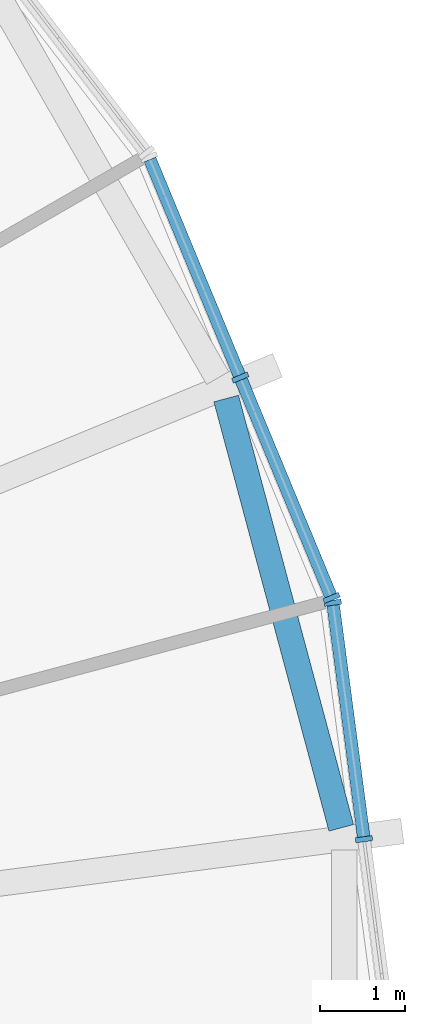
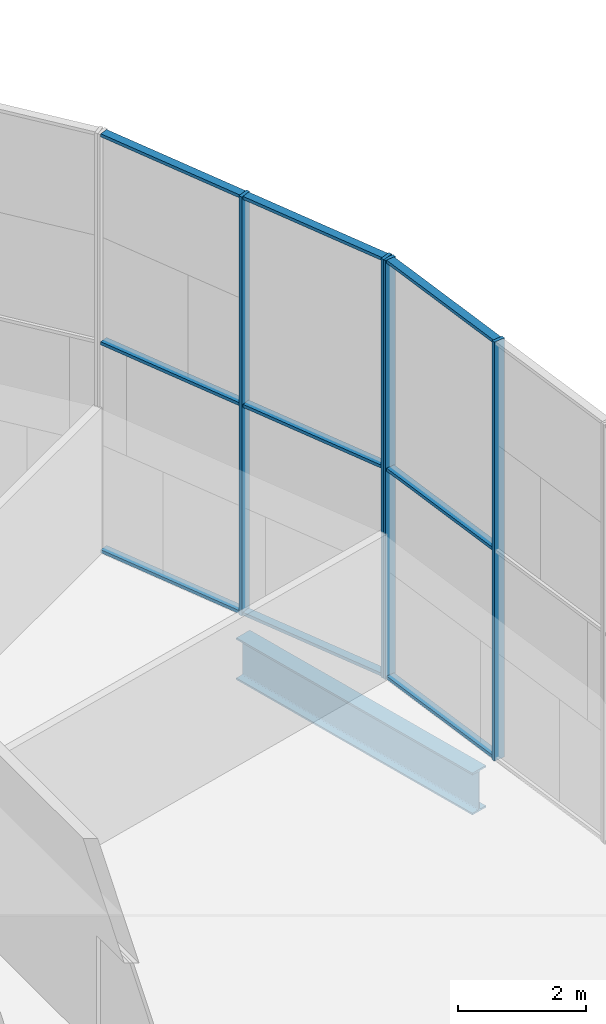
# One storey, part 5 of 18: 13 members, 1 beam, 2 elements without a shape of their own.
"""IFC4 building model written with IfcOpenShell, lengths in metres."""

from ifc_helpers import new_model, si_unit, direction, frame, origin, origin_2d, place, context, subcontext, project, spatial, rectangle, i_section, extrude, material, material_profile, profile_set, type_object, element, aggregate, save


model = new_model("IFC4")

# Units and contexts
model_context = context("Model", 3, precision=1e-05, world=origin(), true_north=direction((0.0, 1.0)))
body_context = subcontext(model_context, "Body", "Model", "MODEL_VIEW")
ifc_project = project(units=[si_unit("LENGTHUNIT", "METRE"), si_unit("AREAUNIT", "SQUARE_METRE"), si_unit("VOLUMEUNIT", "CUBIC_METRE"), si_unit("PLANEANGLEUNIT", "RADIAN"), si_unit("MASSUNIT", "GRAM", prefix="KILO")], contexts=[model_context])

# Site, building, storey
site_placement = place(None, origin())
site = spatial("IfcSite", under=ifc_project, at=site_placement, CompositionType="ELEMENT")
building_placement = place(site_placement, origin())
building = spatial("IfcBuilding", under=site, at=building_placement, Name="Golbaran Civic Tower", CompositionType="ELEMENT")
storey_placement = place(building_placement, frame((0.0, 0.0, 272.0)))
storey = spatial("IfcBuildingStorey", under=building, at=storey_placement, Name="L66", CompositionType="ELEMENT", Elevation=272.0)

# Beam
ifc_material_1 = material(Name="Steel S355", Category="steel")
ifc_material_profile_1 = material_profile(ifc_material_1, i_section(OverallWidth=0.300048828125, OverallDepth=0.800048828125, WebThickness=0.017578125, FlangeThickness=0.032958984375, FilletRadius=0.030029296875, at=origin_2d()), Name="HEB 800")
ifc_profile_set_1 = profile_set([ifc_material_profile_1], Name="Steel S355")
beam_type = type_object("IfcBeamType", Name="EDGE BEAM HEB 800", PredefinedType="BEAM", material=ifc_profile_set_1)
beam_placement = place(storey_placement, frame((21.0625, 2.94140625, -0.60009765625), z_axis=(-0.258898847874, 0.965904439668, 0.0), x_axis=(-0.965904439668, -0.258898847874, 0.0)))
element("IfcBeam", 1, at=beam_placement, inside=storey, type_object=beam_type, Name="Edge beam 7.59 L66", PredefinedType="BEAM", context=body_context, shape_type="SweptSolid", body=[
    extrude(i_section(OverallWidth=0.300048828125, OverallDepth=0.800048828125, WebThickness=0.017578125, FlangeThickness=0.032958984375, FilletRadius=0.030029296875, at=origin_2d()), origin(), (0.0, 0.0, 1.0), 5.22314453125),
])

# Curtain wall, members
ifc_material_2 = material(Name="Aluminium and glass", Category="aluminium")
curtain_wall_type = type_object("IfcCurtainWallType", Name="INNER SKIN CURTAIN WALL EXECUTIVE", PredefinedType="NOTDEFINED", material=ifc_material_2)
curtain_wall_1_placement = place(storey_placement, origin())
curtain_wall_1 = element("IfcCurtainWall", 2, at=curtain_wall_1_placement, inside=storey, type_object=curtain_wall_type, Name="Inner skin L66 facet 1 CW2", ObjectType="INNER SKIN", PredefinedType="USERDEFINED")
ifc_material_3 = material(Name="Aluminium", Category="aluminium")
ifc_material_profile_2 = material_profile(ifc_material_3, rectangle(XDim=0.199951171875, YDim=0.06005859375, at=origin_2d()), Name="INNER SKIN CURTAIN WALL EXECUTIVE MULLION")
ifc_profile_set_2 = profile_set([ifc_material_profile_2], Name="Aluminium")
member_type_1 = type_object("IfcMemberType", Name="INNER SKIN CURTAIN WALL EXECUTIVE MULLION", PredefinedType="MULLION", material=ifc_profile_set_2)
member_1_placement = place(storey_placement, frame((21.329345703125, 2.80810546875, 0.0), z_axis=(0.0, 0.0, 1.0), x_axis=(-0.991444861383, -0.130526192151, 0.0)))
member_1 = element("IfcMember", 3, at=member_1_placement, type_object=member_type_1, Name="CW2 mullion 2", PredefinedType="MULLION", context=body_context, shape_type="SweptSolid", body=[
    extrude(rectangle(XDim=0.199951171875, YDim=0.06005859375, at=origin_2d()), origin(), (0.0, 0.0, 1.0), 8.0),
])
member_2_placement = place(storey_placement, frame((20.963623046875, 5.58642578125, 0.0), z_axis=(0.0, 0.0, 1.0), x_axis=(-0.991444861383, -0.130526192151, 0.0)))
member_2 = element("IfcMember", 4, at=member_2_placement, type_object=member_type_1, Name="CW2 mullion 3", PredefinedType="MULLION", context=body_context, shape_type="SweptSolid", body=[
    extrude(rectangle(XDim=0.199951171875, YDim=0.06005859375, at=origin_2d()), origin(), (0.0, 0.0, 1.0), 8.0),
])

curtain_wall_2_placement = place(storey_placement, origin())
curtain_wall_2 = element("IfcCurtainWall", 5, at=curtain_wall_2_placement, inside=storey, type_object=curtain_wall_type, Name="Inner skin L66 facet 2 CW2", ObjectType="INNER SKIN", PredefinedType="USERDEFINED")
member_3_placement = place(storey_placement, frame((20.9482421875, 5.643798828125, 0.0), z_axis=(0.0, 0.0, 1.0), x_axis=(-0.923879532498, -0.382683432397, 0.0)))
member_3 = element("IfcMember", 6, at=member_3_placement, type_object=member_type_1, Name="CW2 mullion 1", PredefinedType="MULLION", context=body_context, shape_type="SweptSolid", body=[
    extrude(rectangle(XDim=0.199951171875, YDim=0.06005859375, at=origin_2d()), origin(), (0.0, 0.0, 1.0), 8.0),
])
member_4_placement = place(storey_placement, frame((19.875732421875, 8.23291015625, 0.0), z_axis=(0.0, 0.0, 1.0), x_axis=(-0.923879532498, -0.382683432397, 0.0)))
member_4 = element("IfcMember", 7, at=member_4_placement, type_object=member_type_1, Name="CW2 mullion 2", PredefinedType="MULLION", context=body_context, shape_type="SweptSolid", body=[
    extrude(rectangle(XDim=0.199951171875, YDim=0.06005859375, at=origin_2d()), origin(), (0.0, 0.0, 1.0), 8.0),
])

# Member
ifc_material_profile_3 = material_profile(ifc_material_3, rectangle(XDim=0.14990234375, YDim=0.06005859375, at=origin_2d()), Name="INNER SKIN CURTAIN WALL EXECUTIVE TRANSOM")
ifc_profile_set_3 = profile_set([ifc_material_profile_3], Name="Aluminium")
member_type_2 = type_object("IfcMemberType", Name="INNER SKIN CURTAIN WALL EXECUTIVE TRANSOM", PredefinedType="USERDEFINED", material=ifc_profile_set_3)
member_5_placement = place(storey_placement, frame((21.325439453125, 2.837890625, 0.030029296875), z_axis=(-0.130518997427, 0.99144580856, 0.0), x_axis=(-0.99144580856, -0.130518997427, 0.0)))
member_5 = element("IfcMember", 8, at=member_5_placement, type_object=member_type_2, Name="CW2 transom 2.1", ObjectType="TRANSOM", PredefinedType="USERDEFINED", context=body_context, shape_type="SweptSolid", body=[
    extrude(rectangle(XDim=0.14990234375, YDim=0.06005859375, at=origin_2d()), origin(), (0.0, 0.0, 1.0), 2.7421875),
])

member_6_placement = place(storey_placement, frame((21.325439453125, 2.837890625, 4.0), z_axis=(-0.130518997427, 0.99144580856, 0.0), x_axis=(-0.99144580856, -0.130518997427, 0.0)))
member_6 = element("IfcMember", 9, at=member_6_placement, type_object=member_type_2, Name="CW2 transom 2.2", ObjectType="TRANSOM", PredefinedType="USERDEFINED", context=body_context, shape_type="SweptSolid", body=[
    extrude(rectangle(XDim=0.14990234375, YDim=0.06005859375, at=origin_2d()), origin(), (0.0, 0.0, 1.0), 2.7421875),
])

member_7_placement = place(storey_placement, frame((21.325439453125, 2.837890625, 7.969970703125), z_axis=(-0.130518997427, 0.99144580856, 0.0), x_axis=(-0.99144580856, -0.130518997427, 0.0)))
member_7 = element("IfcMember", 10, at=member_7_placement, type_object=member_type_2, Name="CW2 transom 2.3", ObjectType="TRANSOM", PredefinedType="USERDEFINED", context=body_context, shape_type="SweptSolid", body=[
    extrude(rectangle(XDim=0.14990234375, YDim=0.06005859375, at=origin_2d()), origin(), (0.0, 0.0, 1.0), 2.7421875),
])

aggregate(curtain_wall_1, [member_1, member_2, member_5, member_6, member_7])

member_8_placement = place(storey_placement, frame((20.936767578125, 5.671630859375, 0.030029296875), z_axis=(-0.382737071174, 0.923857312765, 0.0), x_axis=(-0.923857312765, -0.382737071174, 0.0)))
member_8 = element("IfcMember", 11, at=member_8_placement, type_object=member_type_2, Name="CW2 transom 1.1", ObjectType="TRANSOM", PredefinedType="USERDEFINED", context=body_context, shape_type="SweptSolid", body=[
    extrude(rectangle(XDim=0.14990234375, YDim=0.06005859375, at=origin_2d()), origin(), (0.0, 0.0, 1.0), 2.7421875),
])

member_9_placement = place(storey_placement, frame((20.936767578125, 5.671630859375, 4.0), z_axis=(-0.382737071174, 0.923857312765, 0.0), x_axis=(-0.923857312765, -0.382737071174, 0.0)))
member_9 = element("IfcMember", 12, at=member_9_placement, type_object=member_type_2, Name="CW2 transom 1.2", ObjectType="TRANSOM", PredefinedType="USERDEFINED", context=body_context, shape_type="SweptSolid", body=[
    extrude(rectangle(XDim=0.14990234375, YDim=0.06005859375, at=origin_2d()), origin(), (0.0, 0.0, 1.0), 2.7421875),
])

member_10_placement = place(storey_placement, frame((20.936767578125, 5.671630859375, 7.969970703125), z_axis=(-0.382737071174, 0.923857312765, 0.0), x_axis=(-0.923857312765, -0.382737071174, 0.0)))
member_10 = element("IfcMember", 13, at=member_10_placement, type_object=member_type_2, Name="CW2 transom 1.3", ObjectType="TRANSOM", PredefinedType="USERDEFINED", context=body_context, shape_type="SweptSolid", body=[
    extrude(rectangle(XDim=0.14990234375, YDim=0.06005859375, at=origin_2d()), origin(), (0.0, 0.0, 1.0), 2.7421875),
])

member_11_placement = place(storey_placement, frame((19.8642578125, 8.260498046875, 0.030029296875), z_axis=(-0.382661079663, 0.923888790987, 0.0), x_axis=(-0.923888790987, -0.382661079663, 0.0)))
member_11 = element("IfcMember", 14, at=member_11_placement, type_object=member_type_2, Name="CW2 transom 2.1", ObjectType="TRANSOM", PredefinedType="USERDEFINED", context=body_context, shape_type="SweptSolid", body=[
    extrude(rectangle(XDim=0.14990234375, YDim=0.06005859375, at=origin_2d()), origin(), (0.0, 0.0, 1.0), 2.7421875),
])

member_12_placement = place(storey_placement, frame((19.8642578125, 8.260498046875, 4.0), z_axis=(-0.382661079663, 0.923888790987, 0.0), x_axis=(-0.923888790987, -0.382661079663, 0.0)))
member_12 = element("IfcMember", 15, at=member_12_placement, type_object=member_type_2, Name="CW2 transom 2.2", ObjectType="TRANSOM", PredefinedType="USERDEFINED", context=body_context, shape_type="SweptSolid", body=[
    extrude(rectangle(XDim=0.14990234375, YDim=0.06005859375, at=origin_2d()), origin(), (0.0, 0.0, 1.0), 2.7421875),
])

member_13_placement = place(storey_placement, frame((19.8642578125, 8.260498046875, 7.969970703125), z_axis=(-0.382661079663, 0.923888790987, 0.0), x_axis=(-0.923888790987, -0.382661079663, 0.0)))
member_13 = element("IfcMember", 16, at=member_13_placement, type_object=member_type_2, Name="CW2 transom 2.3", ObjectType="TRANSOM", PredefinedType="USERDEFINED", context=body_context, shape_type="SweptSolid", body=[
    extrude(rectangle(XDim=0.14990234375, YDim=0.06005859375, at=origin_2d()), origin(), (0.0, 0.0, 1.0), 2.7421875),
])

aggregate(curtain_wall_2, [member_3, member_4, member_8, member_9, member_10, member_11, member_12, member_13])

save(model, "model.ifc")
